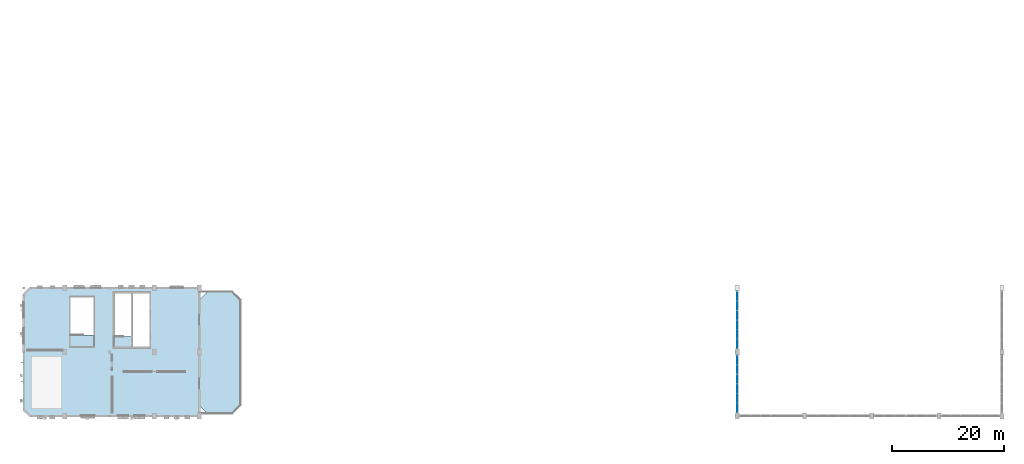
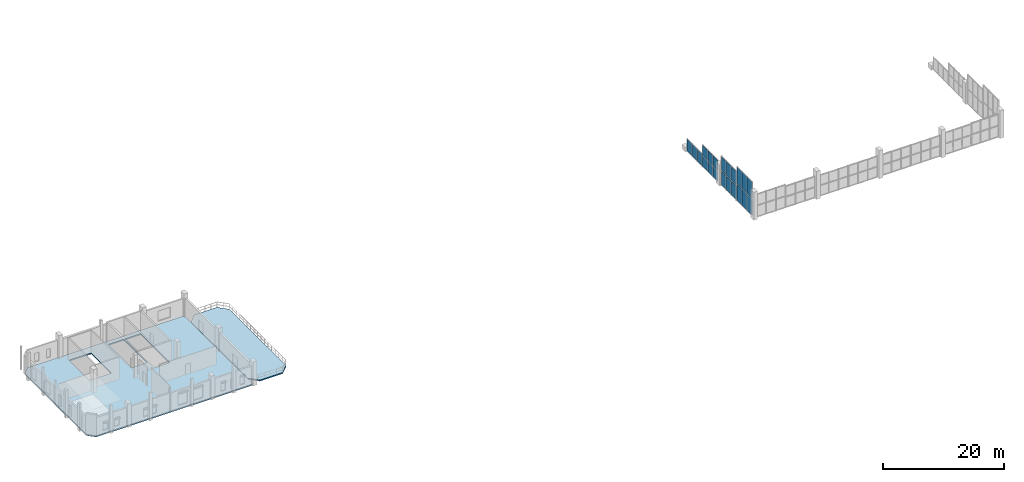
# One storey, part 19 of 28: 21 plates, 2 slabs, 4 elements without a shape of their own.
"""IFC4 building model written with IfcOpenShell, lengths in metres."""

from ifc_helpers import new_model, si_unit, direction, frame, origin, origin_2d, place, context, subcontext, project, spatial, polyline, rectangle, outline, extrude, material, layer, layer_set, type_object, element, aggregate, save


model = new_model("IFC4")

# Units and contexts
model_context = context("Model", 3, precision=1e-05, world=origin(), true_north=direction((0.0, 1.0)))
body_context = subcontext(model_context, "Body", "Model", "MODEL_VIEW")
ifc_project = project(units=[si_unit("LENGTHUNIT", "METRE"), si_unit("AREAUNIT", "SQUARE_METRE"), si_unit("VOLUMEUNIT", "CUBIC_METRE"), si_unit("PLANEANGLEUNIT", "RADIAN"), si_unit("MASSUNIT", "GRAM", prefix="KILO"), si_unit("POWERUNIT", "WATT"), si_unit("THERMODYNAMICTEMPERATUREUNIT", "KELVIN")], contexts=[model_context])

# Site, building, storey
site_placement = place(None, origin())
site = spatial("IfcSite", under=ifc_project, at=site_placement, CompositionType="ELEMENT")
building_placement = place(site_placement, origin())
building = spatial("IfcBuilding", under=site, at=building_placement, Name="Kelmbourne Parkland Aquatics Centre", CompositionType="ELEMENT")
storey_placement = place(building_placement, frame((0.0, 0.0, 19.199951171875)))
storey = spatial("IfcBuildingStorey", under=building, at=storey_placement, Name="L04", CompositionType="ELEMENT", Elevation=19.199951171875)

# Curtain wall, plates
ifc_material_1 = material(Name="Thermally broken anodised aluminium framing", Category="aluminium")
ifc_layer_1 = layer(ifc_material_1, 0.179931640625)
ifc_layer_set_1 = layer_set([ifc_layer_1], Name="Thermally broken anodised aluminium framing")
curtain_wall_type_1 = type_object("IfcCurtainWallType", Name="CW-07", PredefinedType="NOTDEFINED", material=ifc_layer_set_1)
curtain_wall_1_placement = place(storey_placement, origin())
curtain_wall_1 = element("IfcCurtainWall", 1, at=curtain_wall_1_placement, inside=storey, type_object=curtain_wall_type_1, Name="Wave-hall clerestory curtain wall CW-L04-007", PredefinedType="NOTDEFINED")
ifc_material_2 = material(Name="Double-glazed low-e laminated safety glass", Category="glass")
ifc_layer_2 = layer(ifc_material_2, 0.0419921875)
ifc_layer_set_2 = layer_set([ifc_layer_2], Name="Double-glazed low-e laminated safety glass")
plate_type_1 = type_object("IfcPlateType", Name="PL-CLR-1", PredefinedType="USERDEFINED", material=ifc_layer_set_2)
plate_1_placement = place(storey_placement, frame((128.0, 2.23828125, 3.60791015625), z_axis=(0.0, 0.0, 1.0), x_axis=(0.0, 1.0, 0.0)))
plate_1 = element("IfcPlate", 2, at=plate_1_placement, type_object=plate_type_1, Name="CW-L04-007 clerestory glazing 1-0", ObjectType="CLERESTORY GLAZING", PredefinedType="USERDEFINED", context=body_context, shape_type="SweptSolid", body=[
    extrude(rectangle(XDim=1.61474609375, YDim=0.0419921875, at=origin_2d()), origin(), (0.0, 0.0, 1.0), 3.322998046875),
])
plate_2_placement = place(storey_placement, frame((128.0, 3.926025390625, 3.60791015625), z_axis=(0.0, 0.0, 1.0), x_axis=(0.0, 1.0, 0.0)))
plate_2 = element("IfcPlate", 3, at=plate_2_placement, type_object=plate_type_1, Name="CW-L04-007 clerestory glazing 1-1", ObjectType="CLERESTORY GLAZING", PredefinedType="USERDEFINED", context=body_context, shape_type="SweptSolid", body=[
    extrude(rectangle(XDim=1.614501953125, YDim=0.0419921875, at=origin_2d()), origin(), (0.0, 0.0, 1.0), 3.322998046875),
])
plate_3_placement = place(storey_placement, frame((128.0, 5.61376953125, 3.60791015625), z_axis=(0.0, 0.0, 1.0), x_axis=(0.0, 1.0, 0.0)))
plate_3 = element("IfcPlate", 4, at=plate_3_placement, type_object=plate_type_1, Name="CW-L04-007 clerestory glazing 1-2", ObjectType="CLERESTORY GLAZING", PredefinedType="USERDEFINED", context=body_context, shape_type="SweptSolid", body=[
    extrude(rectangle(XDim=1.61474609375, YDim=0.0419921875, at=origin_2d()), origin(), (0.0, 0.0, 1.0), 3.322998046875),
])

ifc_layer_3 = layer(ifc_material_1, 0.179931640625)
ifc_layer_set_3 = layer_set([ifc_layer_3], Name="Thermally broken anodised aluminium framing")
curtain_wall_type_2 = type_object("IfcCurtainWallType", Name="CW-14", PredefinedType="NOTDEFINED", material=ifc_layer_set_3)
curtain_wall_2_placement = place(storey_placement, origin())
curtain_wall_2 = element("IfcCurtainWall", 5, at=curtain_wall_2_placement, inside=storey, type_object=curtain_wall_type_2, Name="Wave-hall clerestory curtain wall CW-L04-014", PredefinedType="NOTDEFINED")
plate_4_placement = place(storey_placement, frame((128.0, 7.39306640625, 3.128662109375), z_axis=(0.0, 0.0, 1.0), x_axis=(0.0, 1.0, 0.0)))
plate_4 = element("IfcPlate", 6, at=plate_4_placement, type_object=plate_type_1, Name="CW-L04-014 clerestory glazing 1-0", ObjectType="CLERESTORY GLAZING", PredefinedType="USERDEFINED", context=body_context, shape_type="SweptSolid", body=[
    extrude(rectangle(XDim=1.587890625, YDim=0.0419921875, at=origin_2d()), origin(), (0.0, 0.0, 1.0), 2.78369140625),
])
plate_5_placement = place(storey_placement, frame((128.0, 9.073974609375, 3.128662109375), z_axis=(0.0, 0.0, 1.0), x_axis=(0.0, 1.0, 0.0)))
plate_5 = element("IfcPlate", 7, at=plate_5_placement, type_object=plate_type_1, Name="CW-L04-014 clerestory glazing 1-1", ObjectType="CLERESTORY GLAZING", PredefinedType="USERDEFINED", context=body_context, shape_type="SweptSolid", body=[
    extrude(rectangle(XDim=1.587890625, YDim=0.0419921875, at=origin_2d()), origin(), (0.0, 0.0, 1.0), 2.78369140625),
])
plate_6_placement = place(storey_placement, frame((128.0, 10.7548828125, 3.128662109375), z_axis=(0.0, 0.0, 1.0), x_axis=(0.0, 1.0, 0.0)))
plate_6 = element("IfcPlate", 8, at=plate_6_placement, type_object=plate_type_1, Name="CW-L04-014 clerestory glazing 1-2", ObjectType="CLERESTORY GLAZING", PredefinedType="USERDEFINED", context=body_context, shape_type="SweptSolid", body=[
    extrude(rectangle(XDim=1.587890625, YDim=0.0419921875, at=origin_2d()), origin(), (0.0, 0.0, 1.0), 2.78369140625),
])

ifc_layer_4 = layer(ifc_material_1, 0.179931640625)
ifc_layer_set_4 = layer_set([ifc_layer_4], Name="Thermally broken anodised aluminium framing")
curtain_wall_type_3 = type_object("IfcCurtainWallType", Name="CW-22", PredefinedType="NOTDEFINED", material=ifc_layer_set_4)
curtain_wall_3_placement = place(storey_placement, origin())
curtain_wall_3 = element("IfcCurtainWall", 9, at=curtain_wall_3_placement, inside=storey, type_object=curtain_wall_type_3, Name="Wave-hall clerestory curtain wall CW-L04-022", PredefinedType="NOTDEFINED")
plate_7_placement = place(storey_placement, frame((128.0, 13.638427734375, 2.35205078125), z_axis=(0.0, 0.0, 1.0), x_axis=(0.0, 1.0, 0.0)))
plate_7 = element("IfcPlate", 10, at=plate_7_placement, type_object=plate_type_1, Name="CW-L04-022 clerestory glazing 1-0", ObjectType="CLERESTORY GLAZING", PredefinedType="USERDEFINED", context=body_context, shape_type="SweptSolid", body=[
    extrude(rectangle(XDim=1.61474609375, YDim=0.0419921875, at=origin_2d()), origin(), (0.0, 0.0, 1.0), 2.066650390625),
])
plate_8_placement = place(storey_placement, frame((128.0, 15.325927734375, 2.35205078125), z_axis=(0.0, 0.0, 1.0), x_axis=(0.0, 1.0, 0.0)))
plate_8 = element("IfcPlate", 11, at=plate_8_placement, type_object=plate_type_1, Name="CW-L04-022 clerestory glazing 1-1", ObjectType="CLERESTORY GLAZING", PredefinedType="USERDEFINED", context=body_context, shape_type="SweptSolid", body=[
    extrude(rectangle(XDim=1.614501953125, YDim=0.0419921875, at=origin_2d()), origin(), (0.0, 0.0, 1.0), 2.066650390625),
])
plate_9_placement = place(storey_placement, frame((128.0, 17.013671875, 2.35205078125), z_axis=(0.0, 0.0, 1.0), x_axis=(0.0, 1.0, 0.0)))
plate_9 = element("IfcPlate", 12, at=plate_9_placement, type_object=plate_type_1, Name="CW-L04-022 clerestory glazing 1-2", ObjectType="CLERESTORY GLAZING", PredefinedType="USERDEFINED", context=body_context, shape_type="SweptSolid", body=[
    extrude(rectangle(XDim=1.61474609375, YDim=0.0419921875, at=origin_2d()), origin(), (0.0, 0.0, 1.0), 2.066650390625),
])

ifc_layer_5 = layer(ifc_material_1, 0.179931640625)
ifc_layer_set_5 = layer_set([ifc_layer_5], Name="Thermally broken anodised aluminium framing")
curtain_wall_type_4 = type_object("IfcCurtainWallType", Name="CW-04", PredefinedType="NOTDEFINED", material=ifc_layer_set_5)
curtain_wall_4_placement = place(storey_placement, origin())
curtain_wall_4 = element("IfcCurtainWall", 13, at=curtain_wall_4_placement, inside=storey, type_object=curtain_wall_type_4, Name="Wave-hall clerestory curtain wall CW-L04-028", PredefinedType="NOTDEFINED")
plate_10_placement = place(storey_placement, frame((128.0, 18.78955078125, 0.147216796875), z_axis=(0.0, 0.0, 1.0), x_axis=(0.0, 1.0, 0.0)))
plate_10 = element("IfcPlate", 14, at=plate_10_placement, type_object=plate_type_1, Name="CW-L04-028 clerestory glazing 0-0", ObjectType="CLERESTORY GLAZING", PredefinedType="USERDEFINED", context=body_context, shape_type="SweptSolid", body=[
    extrude(rectangle(XDim=1.601318359375, YDim=0.0419921875, at=origin_2d()), origin(), (0.0, 0.0, 1.0), 2.38330078125),
])
plate_11_placement = place(storey_placement, frame((128.0, 20.47412109375, 0.147216796875), z_axis=(0.0, 0.0, 1.0), x_axis=(0.0, 1.0, 0.0)))
plate_11 = element("IfcPlate", 15, at=plate_11_placement, type_object=plate_type_1, Name="CW-L04-028 clerestory glazing 0-1", ObjectType="CLERESTORY GLAZING", PredefinedType="USERDEFINED", context=body_context, shape_type="SweptSolid", body=[
    extrude(rectangle(XDim=1.601318359375, YDim=0.0419921875, at=origin_2d()), origin(), (0.0, 0.0, 1.0), 2.38330078125),
])
plate_12_placement = place(storey_placement, frame((128.0, 22.158203125, 0.147216796875), z_axis=(0.0, 0.0, 1.0), x_axis=(0.0, 1.0, 0.0)))
plate_12 = element("IfcPlate", 16, at=plate_12_placement, type_object=plate_type_1, Name="CW-L04-028 clerestory glazing 0-2", ObjectType="CLERESTORY GLAZING", PredefinedType="USERDEFINED", context=body_context, shape_type="SweptSolid", body=[
    extrude(rectangle(XDim=1.601318359375, YDim=0.0419921875, at=origin_2d()), origin(), (0.0, 0.0, 1.0), 2.38330078125),
])
aggregate(curtain_wall_4, [plate_10, plate_11, plate_12])

# Plate
ifc_layer_6 = layer(ifc_material_2, 0.035888671875)
ifc_layer_set_6 = layer_set([ifc_layer_6], Name="Double-glazed low-e laminated safety glass")
plate_type_2 = type_object("IfcPlateType", Name="PL-CWP-2", PredefinedType="CURTAIN_PANEL", material=ifc_layer_set_6)
plate_13_placement = place(storey_placement, frame((128.0, 2.23828125, 0.14697265625), z_axis=(0.0, 0.0, 1.0), x_axis=(0.0, 1.0, 0.0)))
plate_13 = element("IfcPlate", 17, at=plate_13_placement, type_object=plate_type_2, Name="CW-L04-007 vision glazing 0-0", PredefinedType="CURTAIN_PANEL", context=body_context, shape_type="SweptSolid", body=[
    extrude(rectangle(XDim=1.61474609375, YDim=0.035888671875, at=origin_2d()), origin(), (0.0, 0.0, 1.0), 3.32275390625),
])

plate_14_placement = place(storey_placement, frame((128.0, 3.926025390625, 0.14697265625), z_axis=(0.0, 0.0, 1.0), x_axis=(0.0, 1.0, 0.0)))
plate_14 = element("IfcPlate", 18, at=plate_14_placement, type_object=plate_type_2, Name="CW-L04-007 vision glazing 0-1", PredefinedType="CURTAIN_PANEL", context=body_context, shape_type="SweptSolid", body=[
    extrude(rectangle(XDim=1.614501953125, YDim=0.035888671875, at=origin_2d()), origin(), (0.0, 0.0, 1.0), 3.32275390625),
])

plate_15_placement = place(storey_placement, frame((128.0, 5.61376953125, 0.14697265625), z_axis=(0.0, 0.0, 1.0), x_axis=(0.0, 1.0, 0.0)))
plate_15 = element("IfcPlate", 19, at=plate_15_placement, type_object=plate_type_2, Name="CW-L04-007 vision glazing 0-2", PredefinedType="CURTAIN_PANEL", context=body_context, shape_type="SweptSolid", body=[
    extrude(rectangle(XDim=1.61474609375, YDim=0.035888671875, at=origin_2d()), origin(), (0.0, 0.0, 1.0), 3.32275390625),
])

aggregate(curtain_wall_1, [plate_13, plate_14, plate_15, plate_1, plate_2, plate_3])

plate_16_placement = place(storey_placement, frame((128.0, 13.638427734375, 0.14697265625), z_axis=(0.0, 0.0, 1.0), x_axis=(0.0, 1.0, 0.0)))
plate_16 = element("IfcPlate", 20, at=plate_16_placement, type_object=plate_type_2, Name="CW-L04-022 vision glazing 0-0", PredefinedType="CURTAIN_PANEL", context=body_context, shape_type="SweptSolid", body=[
    extrude(rectangle(XDim=1.61474609375, YDim=0.035888671875, at=origin_2d()), origin(), (0.0, 0.0, 1.0), 2.066650390625),
])

plate_17_placement = place(storey_placement, frame((128.0, 15.325927734375, 0.14697265625), z_axis=(0.0, 0.0, 1.0), x_axis=(0.0, 1.0, 0.0)))
plate_17 = element("IfcPlate", 21, at=plate_17_placement, type_object=plate_type_2, Name="CW-L04-022 vision glazing 0-1", PredefinedType="CURTAIN_PANEL", context=body_context, shape_type="SweptSolid", body=[
    extrude(rectangle(XDim=1.614501953125, YDim=0.035888671875, at=origin_2d()), origin(), (0.0, 0.0, 1.0), 2.066650390625),
])

plate_18_placement = place(storey_placement, frame((128.0, 17.013671875, 0.14697265625), z_axis=(0.0, 0.0, 1.0), x_axis=(0.0, 1.0, 0.0)))
plate_18 = element("IfcPlate", 22, at=plate_18_placement, type_object=plate_type_2, Name="CW-L04-022 vision glazing 0-2", PredefinedType="CURTAIN_PANEL", context=body_context, shape_type="SweptSolid", body=[
    extrude(rectangle(XDim=1.61474609375, YDim=0.035888671875, at=origin_2d()), origin(), (0.0, 0.0, 1.0), 2.066650390625),
])

aggregate(curtain_wall_3, [plate_16, plate_17, plate_18, plate_7, plate_8, plate_9])

ifc_layer_7 = layer(ifc_material_2, 0.048095703125)
ifc_layer_set_7 = layer_set([ifc_layer_7], Name="Double-glazed low-e laminated safety glass")
plate_type_3 = type_object("IfcPlateType", Name="PL-CWP-3", PredefinedType="CURTAIN_PANEL", material=ifc_layer_set_7)
plate_19_placement = place(storey_placement, frame((128.0, 7.39306640625, 0.177001953125), z_axis=(0.0, 0.0, 1.0), x_axis=(0.0, 1.0, 0.0)))
plate_19 = element("IfcPlate", 23, at=plate_19_placement, type_object=plate_type_3, Name="CW-L04-014 vision glazing 0-0", PredefinedType="CURTAIN_PANEL", context=body_context, shape_type="SweptSolid", body=[
    extrude(rectangle(XDim=1.587890625, YDim=0.048095703125, at=origin_2d()), origin(), (0.0, 0.0, 1.0), 2.78369140625),
])

plate_20_placement = place(storey_placement, frame((128.0, 9.073974609375, 0.177001953125), z_axis=(0.0, 0.0, 1.0), x_axis=(0.0, 1.0, 0.0)))
plate_20 = element("IfcPlate", 24, at=plate_20_placement, type_object=plate_type_3, Name="CW-L04-014 vision glazing 0-1", PredefinedType="CURTAIN_PANEL", context=body_context, shape_type="SweptSolid", body=[
    extrude(rectangle(XDim=1.587890625, YDim=0.048095703125, at=origin_2d()), origin(), (0.0, 0.0, 1.0), 2.78369140625),
])

plate_21_placement = place(storey_placement, frame((128.0, 10.7548828125, 0.177001953125), z_axis=(0.0, 0.0, 1.0), x_axis=(0.0, 1.0, 0.0)))
plate_21 = element("IfcPlate", 25, at=plate_21_placement, type_object=plate_type_3, Name="CW-L04-014 vision glazing 0-2", PredefinedType="CURTAIN_PANEL", context=body_context, shape_type="SweptSolid", body=[
    extrude(rectangle(XDim=1.587890625, YDim=0.048095703125, at=origin_2d()), origin(), (0.0, 0.0, 1.0), 2.78369140625),
])

aggregate(curtain_wall_2, [plate_19, plate_20, plate_21, plate_4, plate_5, plate_6])

# Slabs
ifc_material_3 = material(Name="Concrete C40/50", Category="concrete")
ifc_layer_8 = layer(ifc_material_3, 0.239990234375)
ifc_layer_set_8 = layer_set([ifc_layer_8], Name="Concrete C40/50")
slab_type_1 = type_object("IfcSlabType", Name="SL-F2", PredefinedType="FLOOR", material=ifc_layer_set_8)
slab_1_placement = place(storey_placement, frame((0.0, 0.0, -0.239990234375)))
element("IfcSlab", 26, at=slab_1_placement, inside=storey, type_object=slab_type_1, Name="Suspended floor slab SLAB-L04-V5", PredefinedType="FLOOR", context=body_context, shape_type="SweptSolid", body=[
    extrude(outline(polyline([(32.0, 0.800048828125), (32.0, 23.60009765625), (1.89990234375, 23.60009765625), (0.699951171875, 22.39990234375), (0.699951171875, 2.0), (1.89990234375, 0.800048828125), (32.0, 0.800048828125)]), holes=[polyline([(20.125, 13.10009765625), (20.125, 22.699951171875), (23.10009765625, 22.699951171875), (23.10009765625, 13.10009765625), (20.125, 13.10009765625)]), polyline([(9.0, 22.0), (13.199951171875, 22.0), (13.199951171875, 15.25), (9.0, 15.25), (9.0, 22.0)]), polyline([(16.89990234375, 22.699951171875), (19.875, 22.699951171875), (19.875, 14.949951171875), (16.89990234375, 14.949951171875), (16.89990234375, 22.699951171875)])]), origin(), (0.0, 0.0, 1.0), 0.239990234375),
])
ifc_material_4 = material(Name="Waterproof concrete C50/60", Category="concrete")
ifc_layer_9 = layer(ifc_material_4, 0.239990234375)
ifc_layer_set_9 = layer_set([ifc_layer_9], Name="Waterproof concrete C50/60")
slab_type_2 = type_object("IfcSlabType", Name="SL-TER", PredefinedType="FLOOR", material=ifc_layer_set_9)
slab_2_placement = place(storey_placement, frame((0.0, 0.0, -0.239990234375)))
element("IfcSlab", 27, at=slab_2_placement, inside=storey, type_object=slab_type_2, Name="L04 Altitude Training Viewing Deck", PredefinedType="FLOOR", context=body_context, shape_type="SweptSolid", body=[
    extrude(outline(polyline([(33.5, 1.199951171875), (37.89990234375, 1.199951171875), (39.39990234375, 2.699951171875), (39.39990234375, 21.5), (37.89990234375, 23.0), (33.5, 23.0), (32.0, 21.5), (32.0, 2.699951171875), (33.5, 1.199951171875)])), origin(), (0.0, 0.0, 1.0), 0.239990234375),
])

save(model, "model.ifc")
